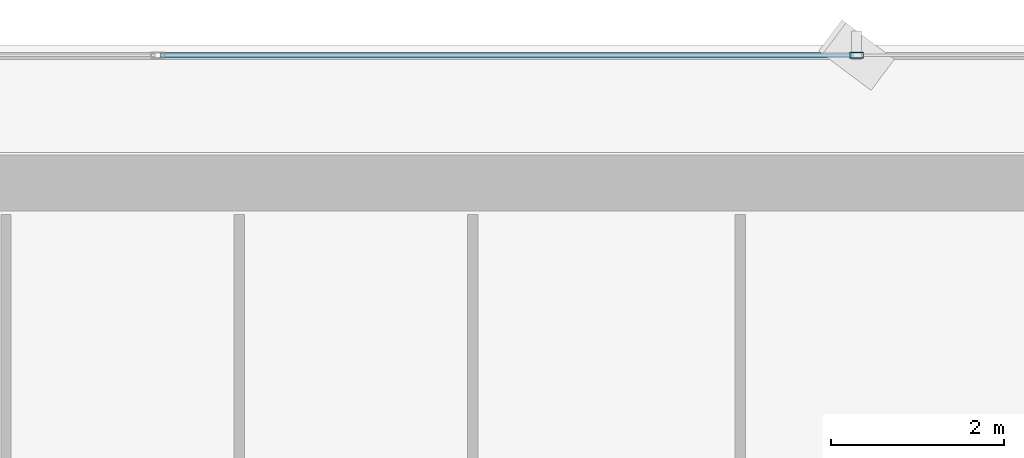
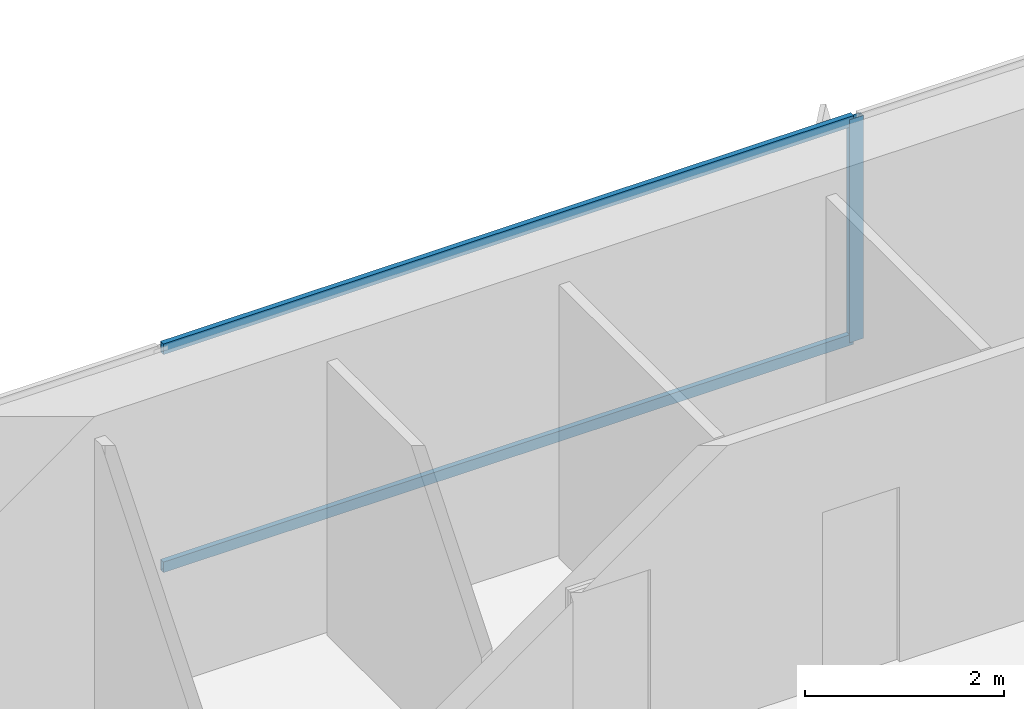
# One storey, part 22 of 37: 3 members, 1 element without a shape of its own.
"""IFC4 building model written with IfcOpenShell, lengths in metres."""

from ifc_helpers import new_model, si_unit, direction, frame, origin, origin_2d, place, context, subcontext, project, spatial, hollow_rectangle, extrude, source, transform, mapped, material, layer, layer_set, material_profile, profile_set, type_object, element, aggregate, save


model = new_model("IFC4")

# Units and contexts
model_context = context("Model", 3, precision=1e-05, world=origin(), true_north=direction((0.0, 1.0)))
body_context = subcontext(model_context, "Body", "Model", "MODEL_VIEW")
ifc_project = project(units=[si_unit("LENGTHUNIT", "METRE"), si_unit("AREAUNIT", "SQUARE_METRE"), si_unit("VOLUMEUNIT", "CUBIC_METRE"), si_unit("PLANEANGLEUNIT", "RADIAN"), si_unit("MASSUNIT", "GRAM", prefix="KILO")], contexts=[model_context])

# Site, building, storey
site_placement = place(None, origin())
site = spatial("IfcSite", under=ifc_project, at=site_placement, CompositionType="ELEMENT")
building_placement = place(site_placement, origin())
building = spatial("IfcBuilding", under=site, at=building_placement, Name="Sumidabori Civic Tower", CompositionType="ELEMENT")
storey_placement = place(building_placement, frame((0.0, 0.0, 95.60009765625)))
storey = spatial("IfcBuildingStorey", under=building, at=storey_placement, Name="L24", CompositionType="ELEMENT", Elevation=95.60009765625)

# Curtain wall, members
ifc_material = material(Name="Anodised Bronze Aluminium AW-6063-T6", Category="aluminium")
ifc_layer = layer(ifc_material, 0.179931640625, Name="Anodised Bronze Aluminium AW-6063-T6")
ifc_layer_set = layer_set([ifc_layer], Name="Anodised Bronze Aluminium AW-6063-T6")
curtain_wall_type = type_object("IfcCurtainWallType", Name="CW-SYS-3", PredefinedType="NOTDEFINED", material=ifc_layer_set)
curtain_wall_placement = place(storey_placement, origin())
curtain_wall = element("IfcCurtainWall", 1, at=curtain_wall_placement, inside=storey, type_object=curtain_wall_type, Name="Curtain Wall CW:L24:R07", PredefinedType="NOTDEFINED")
ifc_material_profile_1 = material_profile(ifc_material, hollow_rectangle(XDim=0.06494140625, YDim=0.159912109375, WallThickness=0.0048828125, at=origin_2d()), Name="ALU MULLION 160x65")
ifc_profile_set_1 = profile_set([ifc_material_profile_1], Name="Anodised Bronze Aluminium AW-6063-T6")
member_type_1 = type_object("IfcMemberType", Name="CW-MUL-160", PredefinedType="MULLION", material=ifc_profile_set_1)
shared_shape_1 = source(origin(), body_context, "Body", "SweptSolid", [
    extrude(hollow_rectangle(XDim=0.06494140625, YDim=0.159912109375, WallThickness=0.0048828125, at=origin_2d()), origin(), (0.0, 0.0, 1.0), 2.739990234375),
])
member_1_placement = place(storey_placement, frame((4.0439453125, 25.280029296875, 0.0), z_axis=(0.0, 0.0, 1.0), x_axis=(0.0, -1.0, 0.0)))
member_1 = element("IfcMember", 2, at=member_1_placement, type_object=member_type_1, Name="CW-3 mullion 3", PredefinedType="MULLION", context=body_context, shape_type="MappedRepresentation", body=[
    mapped(shared_shape_1, transform((0.0, 0.0, 0.0), x_axis=(1.0, 0.0, 0.0), y_axis=(0.0, 1.0, 0.0), z_axis=(0.0, 0.0, 1.0), scale=1.0)),
])
ifc_material_profile_2 = material_profile(ifc_material, hollow_rectangle(XDim=0.06005859375, YDim=0.1298828125, WallThickness=0.0048828125, at=origin_2d()), Name="ALU TRANSOM 130x60")
ifc_profile_set_2 = profile_set([ifc_material_profile_2], Name="Anodised Bronze Aluminium AW-6063-T6")
member_type_2 = type_object("IfcMemberType", Name="CW-TRN-130", PredefinedType="USERDEFINED", material=ifc_profile_set_2)
shared_shape_2 = source(origin(), body_context, "Body", "SweptSolid", [
    extrude(hollow_rectangle(XDim=0.06005859375, YDim=0.1298828125, WallThickness=0.0048828125, at=origin_2d()), origin(), (0.0, 0.0, 1.0), 8.02294921875),
])
member_2_placement = place(storey_placement, frame((4.011474609375, 25.280029296875, 0.02978515625), z_axis=(-1.0, 0.0, 0.0), x_axis=(0.0, -1.0, 0.0)))
member_2 = element("IfcMember", 3, at=member_2_placement, type_object=member_type_2, Name="CW-3 transom 3.1", ObjectType="TRANSOM", PredefinedType="USERDEFINED", context=body_context, shape_type="MappedRepresentation", body=[
    mapped(shared_shape_2, transform((0.0, 0.0, 0.0), x_axis=(1.0, 0.0, 0.0), y_axis=(0.0, 1.0, 0.0), z_axis=(0.0, 0.0, 1.0), scale=1.0)),
])
member_3_placement = place(storey_placement, frame((4.011474609375, 25.280029296875, 2.7099609375), z_axis=(-1.0, 0.0, 0.0), x_axis=(0.0, -1.0, 0.0)))
member_3 = element("IfcMember", 4, at=member_3_placement, type_object=member_type_2, Name="CW-3 transom 3.2", ObjectType="TRANSOM", PredefinedType="USERDEFINED", context=body_context, shape_type="MappedRepresentation", body=[
    mapped(shared_shape_2, transform((0.0, 0.0, 0.0), x_axis=(1.0, 0.0, 0.0), y_axis=(0.0, 1.0, 0.0), z_axis=(0.0, 0.0, 1.0), scale=1.0)),
])
aggregate(curtain_wall, [member_1, member_2, member_3])

save(model, "model.ifc")
